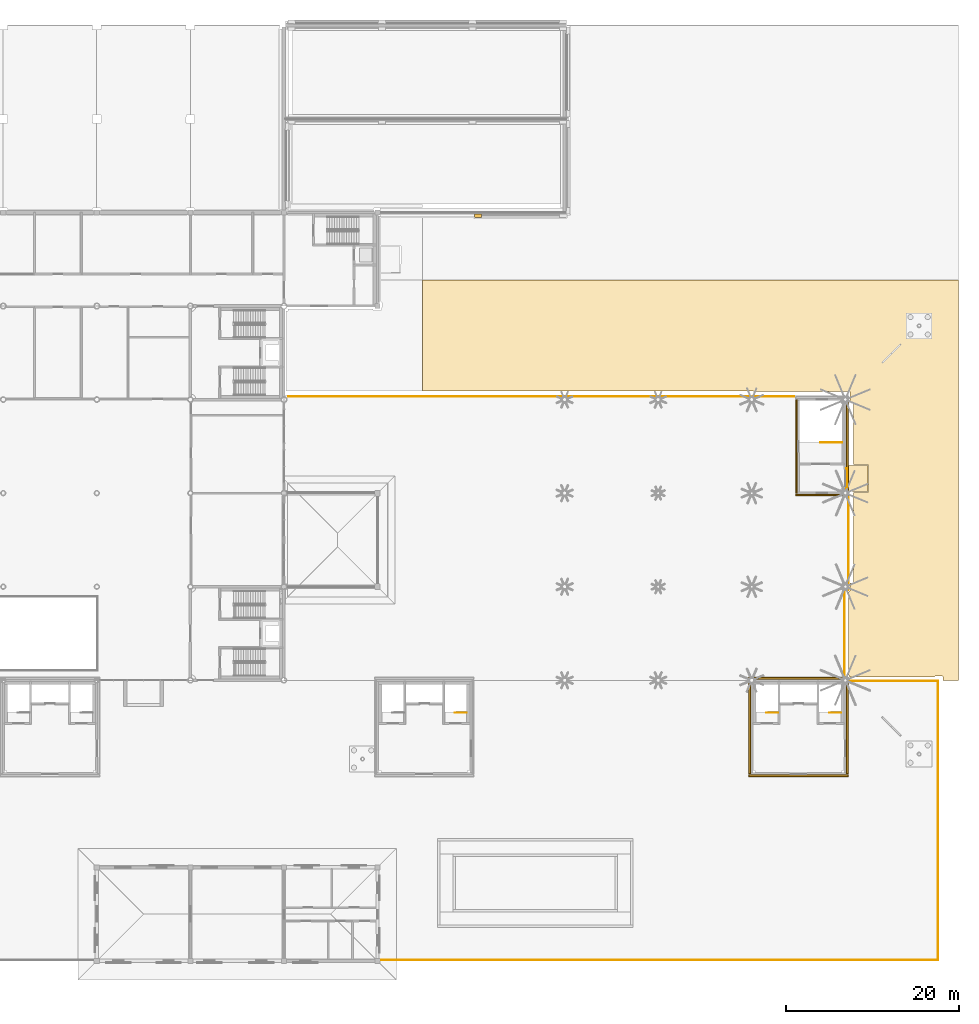
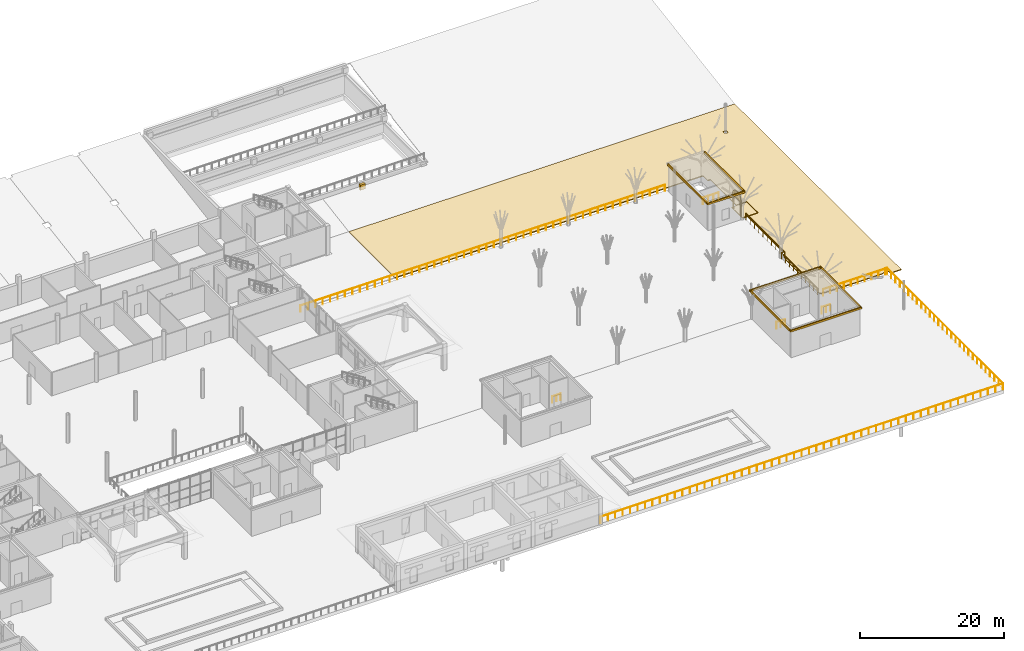
# One storey, part 88 of 91: 11 coverings, 8 railings.
"""IFC4 building model written with IfcOpenShell, lengths in metres."""

import ifcopenshell
import ifcopenshell.guid

model = None  # the IFC model being written
_history = None  # IfcOwnerHistory: only IFC2X3 demands one
_inside = {}  # id of a spatial element -> (the spatial element, [elements in it])
_under = {}  # id of a project, library or spatial element -> (it, [spatial elements below it])
_declared = {}  # id of a project -> (the project, [libraries it declares])
_typed = {}  # id of a type object -> (the type object, [elements of that type])
_made_of = {}  # id of a material, layer set ... -> (it, [elements and type objects made of it])


def new_model(schema):
    """Start an empty IFC model of exactly this schema.

    Asked for "IFC4X3", IfcOpenShell would pick the latest addendum, in which some entities
    have other attributes; the version numbers below select the first issue.
    IFC2X3 requires an IfcOwnerHistory on every rooted entity: one is made here for all.
    """
    global model, _history
    if schema == "IFC4X3":
        model = ifcopenshell.file(schema_version=(4, 3, 0, 0))
    else:
        model = ifcopenshell.file(schema=schema)
    _inside.clear()
    _under.clear()
    _declared.clear()
    _typed.clear()
    _made_of.clear()
    _history = None
    if model.schema == "IFC2X3":
        org = make("IfcOrganization", Name="unknown")
        user = make(
            "IfcPersonAndOrganization",
            ThePerson=make("IfcPerson", FamilyName="unknown"),
            TheOrganization=org,
        )
        app = make(
            "IfcApplication",
            ApplicationDeveloper=org,
            Version="unknown",
            ApplicationFullName="unknown",
            ApplicationIdentifier="unknown",
        )
        _history = make(
            "IfcOwnerHistory",
            OwningUser=user,
            OwningApplication=app,
            ChangeAction="ADDED",
            CreationDate=0,
        )
    return model


def make(cls, **values):
    """One entity of the class cls with the attributes given. An attribute that is None is left unset."""
    return model.create_entity(
        cls, **{name: value for name, value in values.items() if value is not None}
    )


def rooted(cls, **values):
    """An entity with a GlobalId (a new one), such as an element, a storey or a relation."""
    return make(cls, GlobalId=ifcopenshell.guid.new(), OwnerHistory=_history, **values)


def si_unit(unit_type, name, prefix=None):
    """IfcSIUnit, for example si_unit("LENGTHUNIT", "METRE", prefix="MILLI")."""
    return make("IfcSIUnit", UnitType=unit_type, Prefix=prefix, Name=name)


def assignment(units):
    """IfcUnitAssignment: the units of a project."""
    return None if units is None else make("IfcUnitAssignment", Units=units)


def point(xyz):
    """IfcCartesianPoint."""
    return None if xyz is None else make("IfcCartesianPoint", Coordinates=xyz)


def direction(xyz):
    """IfcDirection."""
    return None if xyz is None else make("IfcDirection", DirectionRatios=xyz)


def frame(location, z_axis=None, x_axis=None):
    """IfcAxis2Placement3D, a coordinate frame: its origin and axes. An axis left out is left unset."""
    return make(
        "IfcAxis2Placement3D",
        Location=point(location),
        Axis=direction(z_axis),
        RefDirection=direction(x_axis),
    )


def frame_2d(location, x_axis=None):
    """IfcAxis2Placement2D, a coordinate frame in the plane: its origin and x axis."""
    return make(
        "IfcAxis2Placement2D", Location=point(location), RefDirection=direction(x_axis)
    )


def origin():
    """The frame at (0, 0, 0) with its axes left unset."""
    return frame((0.0, 0.0, 0.0))


def origin_2d():
    """The frame at (0, 0) in the plane with its x axis left unset."""
    return frame_2d((0.0, 0.0))


def place(relative_to, where):
    """IfcLocalPlacement: puts the frame where relative to a parent placement (None: the world)."""
    return make(
        "IfcLocalPlacement", PlacementRelTo=relative_to, RelativePlacement=where
    )


def context(
    kind, dimensions, precision=None, world=None, true_north=None, identifier=None
):
    """IfcGeometricRepresentationContext, for example the 3D "Model" context."""
    return make(
        "IfcGeometricRepresentationContext",
        ContextIdentifier=identifier,
        ContextType=kind,
        CoordinateSpaceDimension=dimensions,
        Precision=precision,
        WorldCoordinateSystem=world,
        TrueNorth=true_north,
    )


def subcontext(parent, identifier, kind, view, scale=None):
    """IfcGeometricRepresentationSubContext, for example "Body" below "Model"."""
    return make(
        "IfcGeometricRepresentationSubContext",
        ContextIdentifier=identifier,
        ContextType=kind,
        ParentContext=parent,
        TargetScale=scale,
        TargetView=view,
    )


def project(units=None, contexts=None):
    """IfcProject with its units and contexts."""
    return rooted(
        "IfcProject",
        Name="project",
        RepresentationContexts=contexts,
        UnitsInContext=assignment(units),
    )


def spatial(cls, under=None, at=None, **own):
    """A site, building, storey or space (cls), placed at a placement, below another one or the project."""
    s = rooted(cls, ObjectPlacement=at, **own)
    if under is not None:
        _under.setdefault(under.id(), (under, []))[1].append(s)
    return s


def polyline(points):
    """IfcPolyline through the points."""
    return make("IfcPolyline", Points=[point(p) for p in points])


def profile(cls, at=None, kind="AREA", **sizes):
    """A parametric profile (cls). Its sizes go by their IFC names, for example OverallWidth=200.0."""
    return make(cls, ProfileType=kind, Position=at, **sizes)


def rectangle(**sizes):
    """IfcRectangleProfileDef."""
    return profile("IfcRectangleProfileDef", **sizes)


def circle(**sizes):
    """IfcCircleProfileDef."""
    return profile("IfcCircleProfileDef", **sizes)


def outline(outer, holes=None, kind="AREA"):
    """IfcArbitraryClosedProfileDef: a profile drawn as a closed curve; with holes, ...WithVoids."""
    if holes is None:
        return make("IfcArbitraryClosedProfileDef", ProfileType=kind, OuterCurve=outer)
    return make(
        "IfcArbitraryProfileDefWithVoids",
        ProfileType=kind,
        OuterCurve=outer,
        InnerCurves=holes,
    )


def extrude(swept, where, along, depth):
    """IfcExtrudedAreaSolid: the profile swept, set in the frame where, extruded along a direction by depth."""
    return make(
        "IfcExtrudedAreaSolid",
        SweptArea=swept,
        Position=where,
        ExtrudedDirection=direction(along),
        Depth=depth,
    )


def shape(context_of_items, identifier, shape_type, items):
    """IfcShapeRepresentation: the items that make up one representation, for example the "Body"."""
    return make(
        "IfcShapeRepresentation",
        ContextOfItems=context_of_items,
        RepresentationIdentifier=identifier,
        RepresentationType=shape_type,
        Items=items,
    )


def material(Name=None, Category=None):
    """IfcMaterial."""
    return make("IfcMaterial", Name=Name, Category=Category)


def layer(
    of_material, thickness, ventilated=None, Name=None, Category=None, Priority=None
):
    """IfcMaterialLayer: one layer of a wall or slab, of a material (None: an air gap)."""
    return make(
        "IfcMaterialLayer",
        Material=of_material,
        LayerThickness=thickness,
        IsVentilated=ventilated,
        Name=Name,
        Category=Category,
        Priority=Priority,
    )


def layer_set(layers, Name=None):
    """IfcMaterialLayerSet."""
    return make("IfcMaterialLayerSet", MaterialLayers=layers, LayerSetName=Name)


def made_of(thing, what):
    """Note that an element or type object is made of a material, layer set ...; save() writes the relation."""
    if what is not None:
        _made_of.setdefault(what.id(), (what, []))[1].append(thing)
    return thing


def type_object(cls, material=None, **own):
    """A type object (cls), such as IfcWallType, which elements share."""
    return made_of(rooted(cls, **own), material)


def element(
    cls,
    number,
    at=None,
    inside=None,
    cuts=None,
    type_object=None,
    material=None,
    context=None,
    identifier="Body",
    shape_type=None,
    held_by="IfcProductDefinitionShape",
    body=None,
    shapes=None,
    **own,
):
    """One element of the class cls, such as IfcWall. Its Tag is "e" and its number.

    at: its placement. inside: the storey or other place that contains it. cuts: it is an
    opening in that element (IfcRelVoidsElement). A single representation is given by context,
    identifier, shape_type and body (its items); several are given by shapes. held_by: the class
    of the entity that holds the representations. save() writes the other relations.
    """
    e = rooted(cls, Tag="e%d" % number, ObjectPlacement=at, **own)
    if body is not None:
        shapes = [shape(context, identifier, shape_type, body)]
    if shapes is not None:
        e.Representation = make(held_by, Representations=shapes)
    if inside is not None:
        _inside.setdefault(inside.id(), (inside, []))[1].append(e)
    if cuts is not None:
        rooted(
            "IfcRelVoidsElement", RelatingBuildingElement=cuts, RelatedOpeningElement=e
        )
    if type_object is not None:
        _typed.setdefault(type_object.id(), (type_object, []))[1].append(e)
    return made_of(e, material)


def aggregate(whole, parts):
    """IfcRelAggregates: a whole, such as a stair, and the parts it consists of."""
    return rooted("IfcRelAggregates", RelatingObject=whole, RelatedObjects=parts)


def save(model, path):
    """Write the relations noted so far, then the file.

    IfcRelAggregates (storeys below a building ...), IfcRelContainedInSpatialStructure (elements
    in a storey), IfcRelDefinesByType, IfcRelAssociatesMaterial and IfcRelDeclares: one each for
    every whole, place, type object, material and project.
    """
    for whole, parts in _under.values():
        aggregate(whole, parts)
    for where, things in _inside.values():
        rooted(
            "IfcRelContainedInSpatialStructure",
            RelatedElements=things,
            RelatingStructure=where,
        )
    for kind, things in _typed.values():
        rooted("IfcRelDefinesByType", RelatedObjects=things, RelatingType=kind)
    for what, things in _made_of.values():
        rooted("IfcRelAssociatesMaterial", RelatedObjects=things, RelatingMaterial=what)
    for by, libraries in _declared.values():
        rooted("IfcRelDeclares", RelatingContext=by, RelatedDefinitions=libraries)
    model.write(path)


model = new_model("IFC4")

# Units and contexts
model_context = context("Model", 3, precision=1e-05, world=origin(), true_north=direction((0.0, 1.0)))
body_context = subcontext(model_context, "Body", "Model", "MODEL_VIEW")
ifc_project = project(units=[si_unit("LENGTHUNIT", "METRE"), si_unit("AREAUNIT", "SQUARE_METRE"), si_unit("VOLUMEUNIT", "CUBIC_METRE"), si_unit("PLANEANGLEUNIT", "RADIAN"), si_unit("MASSUNIT", "GRAM", prefix="KILO")], contexts=[model_context])

# Site, building, storey
site_placement = place(None, origin())
site = spatial("IfcSite", under=ifc_project, at=site_placement, CompositionType="ELEMENT")
building_placement = place(site_placement, origin())
building = spatial("IfcBuilding", under=site, at=building_placement, Name="Magnolia Steps Interchange", CompositionType="ELEMENT")
storey_placement = place(building_placement, origin())
storey = spatial("IfcBuildingStorey", under=building, at=storey_placement, Name="L00", CompositionType="ELEMENT", Elevation=0.0)

# Coverings
ifc_material_1 = material(Name="Lime render")
ifc_layer_1 = layer(ifc_material_1, 0.10009765625)
ifc_layer_set_1 = layer_set([ifc_layer_1], Name="Arched doorway surround")
covering_type_1 = type_object("IfcCoveringType", Name="Arched doorway surround", PredefinedType="CLADDING", material=ifc_layer_set_1)
covering_1_placement = place(storey_placement, frame((182.925048828125, 64.5, 0.0), z_axis=(-1.0, 0.0, 0.0), x_axis=(0.0, 0.0, 1.0)))
element("IfcCovering", 1, at=covering_1_placement, inside=storey, type_object=covering_type_1, Name="Arched doorway surround BE-E", PredefinedType="CLADDING", context=body_context, shape_type="SweptSolid", body=[
    extrude(outline(polyline([(0.0, 0.0), (2.399902344, 0.0), (2.710693359, 0.041015625), (3.0, 0.160888672), (3.248535156, 0.3515625), (3.439208984, 0.600097656), (3.559082031, 0.889404297), (3.600097656, 1.199951172), (3.559082031, 1.510498047), (3.439208984, 1.800048828), (3.248535156, 2.048583984), (3.0, 2.239257812), (2.710693359, 2.359130859), (2.399902344, 2.399902344), (0.0, 2.399902344), (0.0, 2.100097656), (2.399902344, 2.100097656), (2.399902344, 0.300048828), (0.0, 0.300048828), (0.0, 0.0)])), origin(), (0.0, 0.0, -1.0), 0.10009765625),
])
ifc_material_2 = material(Name="Lime render")
ifc_layer_2 = layer(ifc_material_2, 0.199951171875)
ifc_layer_set_2 = layer_set([ifc_layer_2], Name="Lime render cornice")
covering_type_2 = type_object("IfcCoveringType", Name="Lime render cornice", PredefinedType="CLADDING", material=ifc_layer_set_2)
covering_2_placement = place(storey_placement, frame((180.10009765625, 63.77490234375, 4.5), z_axis=(0.0, 0.0, 1.0), x_axis=(1.0, 0.0, 0.0)))
element("IfcCovering", 2, at=covering_2_placement, inside=storey, type_object=covering_type_2, Name="Cornice BE-E S", PredefinedType="CLADDING", context=body_context, shape_type="SweptSolid", body=[
    extrude(rectangle(XDim=6.050048828125, YDim=0.199951171875, at=origin_2d()), origin(), (0.0, 0.0, 1.0), 0.300048828125),
])
for number, where, z_axis, x_axis, name in (
    (3, (177.175048828125, 69.39990234375, 4.5), (0.0, 0.0, 1.0), (1.0, 0.0, 0.0), "Cornice BE-E W"),
    (4, (183.02490234375, 69.39990234375, 4.5), (0.0, 0.0, 1.0), (1.0, 0.0, 0.0), "Cornice BE-E E"),
):
    element("IfcCovering", number, at=place(storey_placement, frame(where, z_axis=z_axis, x_axis=x_axis)), inside=storey, type_object=covering_type_2, Name=name, PredefinedType="CLADDING", context=body_context, shape_type="SweptSolid", body=[
        extrude(rectangle(XDim=0.199951171875, YDim=10.800048828125, at=origin_2d()), origin(), (0.0, 0.0, 1.0), 0.300048828125),
    ])
for number, where, z_axis, x_axis, name in (
    (5, (177.39990234375, 31.375, 4.5), (0.0, 0.0, 1.0), (1.0, 0.0, 0.0), "Cornice BC4 S"),
    (6, (177.39990234375, 42.625, 4.5), (0.0, 0.0, 1.0), (1.0, 0.0, 0.0), "Cornice BC4 N"),
):
    element("IfcCovering", number, at=place(storey_placement, frame(where, z_axis=z_axis, x_axis=x_axis)), inside=storey, type_object=covering_type_2, Name=name, PredefinedType="CLADDING", context=body_context, shape_type="SweptSolid", body=[
        extrude(rectangle(XDim=11.449951171875, YDim=0.199951171875, at=origin_2d()), origin(), (0.0, 0.0, 1.0), 0.300048828125),
    ])
for number, where, z_axis, x_axis, name in (
    (7, (171.77490234375, 37.0, 4.5), (0.0, 0.0, 1.0), (1.0, 0.0, 0.0), "Cornice BC4 W"),
    (8, (183.02490234375, 37.0, 4.5), (0.0, 0.0, 1.0), (1.0, 0.0, 0.0), "Cornice BC4 E"),
):
    element("IfcCovering", number, at=place(storey_placement, frame(where, z_axis=z_axis, x_axis=x_axis)), inside=storey, type_object=covering_type_2, Name=name, PredefinedType="CLADDING", context=body_context, shape_type="SweptSolid", body=[
        extrude(rectangle(XDim=0.199951171875, YDim=10.800048828125, at=origin_2d()), origin(), (0.0, 0.0, 1.0), 0.300048828125),
    ])
ifc_material_3 = material(Name="Lime render")
ifc_layer_3 = layer(ifc_material_3, 0.39990234375)
ifc_layer_set_3 = layer_set([ifc_layer_3], Name="Lime render pilaster")
covering_type_3 = type_object("IfcCoveringType", Name="Lime render pilaster", PredefinedType="CLADDING", material=ifc_layer_set_3)
covering_3_placement = place(storey_placement, frame((140.39990234375, 96.0, 0.5), z_axis=(0.0, 0.0, 1.0), x_axis=(1.0, 0.0, 0.0)))
element("IfcCovering", 9, at=covering_3_placement, inside=storey, type_object=covering_type_3, Name="Pilaster terrace wall E 1 1.1", PredefinedType="CLADDING", context=body_context, shape_type="SweptSolid", body=[
    extrude(rectangle(XDim=0.800048828125, YDim=0.39990234375, at=origin_2d()), origin(), (0.0, 0.0, 1.0), 0.89990234375),
])

# Railings
ifc_material_4 = material(Name="Painted steel Q355B", Category="steel")
railing_type_1 = type_object("IfcRailingType", Name="Plinth balustrade 1100", PredefinedType="GUARDRAIL", material=ifc_material_4)
railing_1_placement = place(storey_placement, frame((129.0, 10.10009765625, 0.0)))
element("IfcRailing", 10, at=railing_1_placement, inside=storey, type_object=railing_type_1, Name="Plinth edge balustrade east", PredefinedType="GUARDRAIL", context=body_context, shape_type="SweptSolid", body=[
    extrude(circle(Radius=0.030029296875, at=origin_2d()), frame((0.0, 0.0, 1.070068359375), z_axis=(1.0, 0.0, 0.0), x_axis=(0.0, 1.0, 0.0)), (0.0, 0.0, 1.0), 64.5),
    extrude(circle(Radius=0.030029296875, at=origin_2d()), frame((64.5, 0.0, 1.070068359375), z_axis=(0.0, 1.0, 0.0), x_axis=(-1.0, 0.0, 0.0)), (0.0, 0.0, 1.0), 32.199951171875),
    extrude(circle(Radius=0.02001953125, at=origin_2d()), origin(), (0.0, 0.0, 1.0), 1.0400390625),
    extrude(circle(Radius=0.02001953125, at=origin_2d()), frame((1.1943359375, 0.0, 0.0)), (0.0, 0.0, 1.0), 1.0400390625),
    extrude(circle(Radius=0.02001953125, at=origin_2d()), frame((2.388916015625, 0.0, 0.0)), (0.0, 0.0, 1.0), 1.0400390625),
    extrude(circle(Radius=0.02001953125, at=origin_2d()), frame((3.583251953125, 0.0, 0.0)), (0.0, 0.0, 1.0), 1.0400390625),
    extrude(circle(Radius=0.02001953125, at=origin_2d()), frame((4.77783203125, 0.0, 0.0)), (0.0, 0.0, 1.0), 1.0400390625),
    extrude(circle(Radius=0.02001953125, at=origin_2d()), frame((5.97216796875, 0.0, 0.0)), (0.0, 0.0, 1.0), 1.0400390625),
    extrude(circle(Radius=0.02001953125, at=origin_2d()), frame((7.166748046875, 0.0, 0.0)), (0.0, 0.0, 1.0), 1.0400390625),
    extrude(circle(Radius=0.02001953125, at=origin_2d()), frame((8.361083984375, 0.0, 0.0)), (0.0, 0.0, 1.0), 1.0400390625),
    extrude(circle(Radius=0.02001953125, at=origin_2d()), frame((9.5556640625, 0.0, 0.0)), (0.0, 0.0, 1.0), 1.0400390625),
    extrude(circle(Radius=0.02001953125, at=origin_2d()), frame((10.75, 0.0, 0.0)), (0.0, 0.0, 1.0), 1.0400390625),
    extrude(circle(Radius=0.02001953125, at=origin_2d()), frame((11.9443359375, 0.0, 0.0)), (0.0, 0.0, 1.0), 1.0400390625),
    extrude(circle(Radius=0.02001953125, at=origin_2d()), frame((13.138916015625, 0.0, 0.0)), (0.0, 0.0, 1.0), 1.0400390625),
    extrude(circle(Radius=0.02001953125, at=origin_2d()), frame((14.333251953125, 0.0, 0.0)), (0.0, 0.0, 1.0), 1.0400390625),
    extrude(circle(Radius=0.02001953125, at=origin_2d()), frame((15.52783203125, 0.0, 0.0)), (0.0, 0.0, 1.0), 1.0400390625),
    extrude(circle(Radius=0.02001953125, at=origin_2d()), frame((16.72216796875, 0.0, 0.0)), (0.0, 0.0, 1.0), 1.0400390625),
    extrude(circle(Radius=0.02001953125, at=origin_2d()), frame((17.916748046875, 0.0, 0.0)), (0.0, 0.0, 1.0), 1.0400390625),
    extrude(circle(Radius=0.02001953125, at=origin_2d()), frame((19.111083984375, 0.0, 0.0)), (0.0, 0.0, 1.0), 1.0400390625),
    extrude(circle(Radius=0.02001953125, at=origin_2d()), frame((20.3056640625, 0.0, 0.0)), (0.0, 0.0, 1.0), 1.0400390625),
    extrude(circle(Radius=0.02001953125, at=origin_2d()), frame((21.5, 0.0, 0.0)), (0.0, 0.0, 1.0), 1.0400390625),
    extrude(circle(Radius=0.02001953125, at=origin_2d()), frame((22.6943359375, 0.0, 0.0)), (0.0, 0.0, 1.0), 1.0400390625),
    extrude(circle(Radius=0.02001953125, at=origin_2d()), frame((23.888916015625, 0.0, 0.0)), (0.0, 0.0, 1.0), 1.0400390625),
    extrude(circle(Radius=0.02001953125, at=origin_2d()), frame((25.083251953125, 0.0, 0.0)), (0.0, 0.0, 1.0), 1.0400390625),
    extrude(circle(Radius=0.02001953125, at=origin_2d()), frame((26.27783203125, 0.0, 0.0)), (0.0, 0.0, 1.0), 1.0400390625),
    extrude(circle(Radius=0.02001953125, at=origin_2d()), frame((27.47216796875, 0.0, 0.0)), (0.0, 0.0, 1.0), 1.0400390625),
    extrude(circle(Radius=0.02001953125, at=origin_2d()), frame((28.666748046875, 0.0, 0.0)), (0.0, 0.0, 1.0), 1.0400390625),
    extrude(circle(Radius=0.02001953125, at=origin_2d()), frame((29.861083984375, 0.0, 0.0)), (0.0, 0.0, 1.0), 1.0400390625),
    extrude(circle(Radius=0.02001953125, at=origin_2d()), frame((31.0556640625, 0.0, 0.0)), (0.0, 0.0, 1.0), 1.0400390625),
    extrude(circle(Radius=0.02001953125, at=origin_2d()), frame((32.25, 0.0, 0.0)), (0.0, 0.0, 1.0), 1.0400390625),
    extrude(circle(Radius=0.02001953125, at=origin_2d()), frame((33.4443359375, 0.0, 0.0)), (0.0, 0.0, 1.0), 1.0400390625),
    extrude(circle(Radius=0.02001953125, at=origin_2d()), frame((34.638916015625, 0.0, 0.0)), (0.0, 0.0, 1.0), 1.0400390625),
    extrude(circle(Radius=0.02001953125, at=origin_2d()), frame((35.833251953125, 0.0, 0.0)), (0.0, 0.0, 1.0), 1.0400390625),
    extrude(circle(Radius=0.02001953125, at=origin_2d()), frame((37.02783203125, 0.0, 0.0)), (0.0, 0.0, 1.0), 1.0400390625),
    extrude(circle(Radius=0.02001953125, at=origin_2d()), frame((38.22216796875, 0.0, 0.0)), (0.0, 0.0, 1.0), 1.0400390625),
    extrude(circle(Radius=0.02001953125, at=origin_2d()), frame((39.416748046875, 0.0, 0.0)), (0.0, 0.0, 1.0), 1.0400390625),
    extrude(circle(Radius=0.02001953125, at=origin_2d()), frame((40.611083984375, 0.0, 0.0)), (0.0, 0.0, 1.0), 1.0400390625),
    extrude(circle(Radius=0.02001953125, at=origin_2d()), frame((41.8056640625, 0.0, 0.0)), (0.0, 0.0, 1.0), 1.0400390625),
    extrude(circle(Radius=0.02001953125, at=origin_2d()), frame((43.0, 0.0, 0.0)), (0.0, 0.0, 1.0), 1.0400390625),
    extrude(circle(Radius=0.02001953125, at=origin_2d()), frame((44.1943359375, 0.0, 0.0)), (0.0, 0.0, 1.0), 1.0400390625),
    extrude(circle(Radius=0.02001953125, at=origin_2d()), frame((45.388916015625, 0.0, 0.0)), (0.0, 0.0, 1.0), 1.0400390625),
    extrude(circle(Radius=0.02001953125, at=origin_2d()), frame((46.583251953125, 0.0, 0.0)), (0.0, 0.0, 1.0), 1.0400390625),
    extrude(circle(Radius=0.02001953125, at=origin_2d()), frame((47.77783203125, 0.0, 0.0)), (0.0, 0.0, 1.0), 1.0400390625),
    extrude(circle(Radius=0.02001953125, at=origin_2d()), frame((48.97216796875, 0.0, 0.0)), (0.0, 0.0, 1.0), 1.0400390625),
    extrude(circle(Radius=0.02001953125, at=origin_2d()), frame((50.166748046875, 0.0, 0.0)), (0.0, 0.0, 1.0), 1.0400390625),
    extrude(circle(Radius=0.02001953125, at=origin_2d()), frame((51.361083984375, 0.0, 0.0)), (0.0, 0.0, 1.0), 1.0400390625),
    extrude(circle(Radius=0.02001953125, at=origin_2d()), frame((52.5556640625, 0.0, 0.0)), (0.0, 0.0, 1.0), 1.0400390625),
    extrude(circle(Radius=0.02001953125, at=origin_2d()), frame((53.75, 0.0, 0.0)), (0.0, 0.0, 1.0), 1.0400390625),
    extrude(circle(Radius=0.02001953125, at=origin_2d()), frame((54.9443359375, 0.0, 0.0)), (0.0, 0.0, 1.0), 1.0400390625),
    extrude(circle(Radius=0.02001953125, at=origin_2d()), frame((56.138916015625, 0.0, 0.0)), (0.0, 0.0, 1.0), 1.0400390625),
    extrude(circle(Radius=0.02001953125, at=origin_2d()), frame((57.333251953125, 0.0, 0.0)), (0.0, 0.0, 1.0), 1.0400390625),
    extrude(circle(Radius=0.02001953125, at=origin_2d()), frame((58.52783203125, 0.0, 0.0)), (0.0, 0.0, 1.0), 1.0400390625),
    extrude(circle(Radius=0.02001953125, at=origin_2d()), frame((59.72216796875, 0.0, 0.0)), (0.0, 0.0, 1.0), 1.0400390625),
    extrude(circle(Radius=0.02001953125, at=origin_2d()), frame((60.916748046875, 0.0, 0.0)), (0.0, 0.0, 1.0), 1.0400390625),
    extrude(circle(Radius=0.02001953125, at=origin_2d()), frame((62.111083984375, 0.0, 0.0)), (0.0, 0.0, 1.0), 1.0400390625),
    extrude(circle(Radius=0.02001953125, at=origin_2d()), frame((63.3056640625, 0.0, 0.0)), (0.0, 0.0, 1.0), 1.0400390625),
    extrude(circle(Radius=0.02001953125, at=origin_2d()), frame((64.5, 0.0, 0.0)), (0.0, 0.0, 1.0), 1.0400390625),
    extrude(circle(Radius=0.02001953125, at=origin_2d()), frame((64.5, 1.192626953125, 0.0)), (0.0, 0.0, 1.0), 1.0400390625),
    extrude(circle(Radius=0.02001953125, at=origin_2d()), frame((64.5, 2.38525390625, 0.0)), (0.0, 0.0, 1.0), 1.0400390625),
    extrude(circle(Radius=0.02001953125, at=origin_2d()), frame((64.5, 3.577880859375, 0.0)), (0.0, 0.0, 1.0), 1.0400390625),
    extrude(circle(Radius=0.02001953125, at=origin_2d()), frame((64.5, 4.770263671875, 0.0)), (0.0, 0.0, 1.0), 1.0400390625),
    extrude(circle(Radius=0.02001953125, at=origin_2d()), frame((64.5, 5.962890625, 0.0)), (0.0, 0.0, 1.0), 1.0400390625),
    extrude(circle(Radius=0.02001953125, at=origin_2d()), frame((64.5, 7.155517578125, 0.0)), (0.0, 0.0, 1.0), 1.0400390625),
    extrude(circle(Radius=0.02001953125, at=origin_2d()), frame((64.5, 8.34814453125, 0.0)), (0.0, 0.0, 1.0), 1.0400390625),
    extrude(circle(Radius=0.02001953125, at=origin_2d()), frame((64.5, 9.540771484375, 0.0)), (0.0, 0.0, 1.0), 1.0400390625),
    extrude(circle(Radius=0.02001953125, at=origin_2d()), frame((64.5, 10.7333984375, 0.0)), (0.0, 0.0, 1.0), 1.0400390625),
    extrude(circle(Radius=0.02001953125, at=origin_2d()), frame((64.5, 11.926025390625, 0.0)), (0.0, 0.0, 1.0), 1.0400390625),
    extrude(circle(Radius=0.02001953125, at=origin_2d()), frame((64.5, 13.118408203125, 0.0)), (0.0, 0.0, 1.0), 1.0400390625),
    extrude(circle(Radius=0.02001953125, at=origin_2d()), frame((64.5, 14.31103515625, 0.0)), (0.0, 0.0, 1.0), 1.0400390625),
    extrude(circle(Radius=0.02001953125, at=origin_2d()), frame((64.5, 15.503662109375, 0.0)), (0.0, 0.0, 1.0), 1.0400390625),
    extrude(circle(Radius=0.02001953125, at=origin_2d()), frame((64.5, 16.6962890625, 0.0)), (0.0, 0.0, 1.0), 1.0400390625),
    extrude(circle(Radius=0.02001953125, at=origin_2d()), frame((64.5, 17.888916015625, 0.0)), (0.0, 0.0, 1.0), 1.0400390625),
    extrude(circle(Radius=0.02001953125, at=origin_2d()), frame((64.5, 19.08154296875, 0.0)), (0.0, 0.0, 1.0), 1.0400390625),
    extrude(circle(Radius=0.02001953125, at=origin_2d()), frame((64.5, 20.27392578125, 0.0)), (0.0, 0.0, 1.0), 1.0400390625),
    extrude(circle(Radius=0.02001953125, at=origin_2d()), frame((64.5, 21.466552734375, 0.0)), (0.0, 0.0, 1.0), 1.0400390625),
    extrude(circle(Radius=0.02001953125, at=origin_2d()), frame((64.5, 22.6591796875, 0.0)), (0.0, 0.0, 1.0), 1.0400390625),
    extrude(circle(Radius=0.02001953125, at=origin_2d()), frame((64.5, 23.851806640625, 0.0)), (0.0, 0.0, 1.0), 1.0400390625),
    extrude(circle(Radius=0.02001953125, at=origin_2d()), frame((64.5, 25.04443359375, 0.0)), (0.0, 0.0, 1.0), 1.0400390625),
    extrude(circle(Radius=0.02001953125, at=origin_2d()), frame((64.5, 26.237060546875, 0.0)), (0.0, 0.0, 1.0), 1.0400390625),
    extrude(circle(Radius=0.02001953125, at=origin_2d()), frame((64.5, 27.4296875, 0.0)), (0.0, 0.0, 1.0), 1.0400390625),
    extrude(circle(Radius=0.02001953125, at=origin_2d()), frame((64.5, 28.6220703125, 0.0)), (0.0, 0.0, 1.0), 1.0400390625),
    extrude(circle(Radius=0.02001953125, at=origin_2d()), frame((64.5, 29.814697265625, 0.0)), (0.0, 0.0, 1.0), 1.0400390625),
    extrude(circle(Radius=0.02001953125, at=origin_2d()), frame((64.5, 31.00732421875, 0.0)), (0.0, 0.0, 1.0), 1.0400390625),
    extrude(circle(Radius=0.02001953125, at=origin_2d()), frame((64.5, 32.199951171875, 0.0)), (0.0, 0.0, 1.0), 1.0400390625),
])
railing_2_placement = place(storey_placement, frame((118.5, 75.14990234375, 0.0)))
element("IfcRailing", 11, at=railing_2_placement, inside=storey, type_object=railing_type_1, Name="Plinth edge balustrade 3", PredefinedType="GUARDRAIL", context=body_context, shape_type="SweptSolid", body=[
    extrude(circle(Radius=0.030029296875, at=origin_2d()), frame((0.0, 0.0, 1.070068359375), z_axis=(1.0, 0.0, 0.0), x_axis=(0.0, 1.0, 0.0)), (0.0, 0.0, 1.0), 58.39990234375),
    extrude(circle(Radius=0.02001953125, at=origin_2d()), origin(), (0.0, 0.0, 1.0), 1.0400390625),
    extrude(circle(Radius=0.02001953125, at=origin_2d()), frame((1.19189453125, 0.0, 0.0)), (0.0, 0.0, 1.0), 1.0400390625),
    extrude(circle(Radius=0.02001953125, at=origin_2d()), frame((2.3837890625, 0.0, 0.0)), (0.0, 0.0, 1.0), 1.0400390625),
    extrude(circle(Radius=0.02001953125, at=origin_2d()), frame((3.575439453125, 0.0, 0.0)), (0.0, 0.0, 1.0), 1.0400390625),
    extrude(circle(Radius=0.02001953125, at=origin_2d()), frame((4.767333984375, 0.0, 0.0)), (0.0, 0.0, 1.0), 1.0400390625),
    extrude(circle(Radius=0.02001953125, at=origin_2d()), frame((5.959228515625, 0.0, 0.0)), (0.0, 0.0, 1.0), 1.0400390625),
    extrude(circle(Radius=0.02001953125, at=origin_2d()), frame((7.151123046875, 0.0, 0.0)), (0.0, 0.0, 1.0), 1.0400390625),
    extrude(circle(Radius=0.02001953125, at=origin_2d()), frame((8.3427734375, 0.0, 0.0)), (0.0, 0.0, 1.0), 1.0400390625),
    extrude(circle(Radius=0.02001953125, at=origin_2d()), frame((9.53466796875, 0.0, 0.0)), (0.0, 0.0, 1.0), 1.0400390625),
    extrude(circle(Radius=0.02001953125, at=origin_2d()), frame((10.7265625, 0.0, 0.0)), (0.0, 0.0, 1.0), 1.0400390625),
    extrude(circle(Radius=0.02001953125, at=origin_2d()), frame((11.91845703125, 0.0, 0.0)), (0.0, 0.0, 1.0), 1.0400390625),
    extrude(circle(Radius=0.02001953125, at=origin_2d()), frame((13.110107421875, 0.0, 0.0)), (0.0, 0.0, 1.0), 1.0400390625),
    extrude(circle(Radius=0.02001953125, at=origin_2d()), frame((14.302001953125, 0.0, 0.0)), (0.0, 0.0, 1.0), 1.0400390625),
    extrude(circle(Radius=0.02001953125, at=origin_2d()), frame((15.493896484375, 0.0, 0.0)), (0.0, 0.0, 1.0), 1.0400390625),
    extrude(circle(Radius=0.02001953125, at=origin_2d()), frame((16.685791015625, 0.0, 0.0)), (0.0, 0.0, 1.0), 1.0400390625),
    extrude(circle(Radius=0.02001953125, at=origin_2d()), frame((17.87744140625, 0.0, 0.0)), (0.0, 0.0, 1.0), 1.0400390625),
    extrude(circle(Radius=0.02001953125, at=origin_2d()), frame((19.0693359375, 0.0, 0.0)), (0.0, 0.0, 1.0), 1.0400390625),
    extrude(circle(Radius=0.02001953125, at=origin_2d()), frame((20.26123046875, 0.0, 0.0)), (0.0, 0.0, 1.0), 1.0400390625),
    extrude(circle(Radius=0.02001953125, at=origin_2d()), frame((21.453125, 0.0, 0.0)), (0.0, 0.0, 1.0), 1.0400390625),
    extrude(circle(Radius=0.02001953125, at=origin_2d()), frame((22.644775390625, 0.0, 0.0)), (0.0, 0.0, 1.0), 1.0400390625),
    extrude(circle(Radius=0.02001953125, at=origin_2d()), frame((23.836669921875, 0.0, 0.0)), (0.0, 0.0, 1.0), 1.0400390625),
    extrude(circle(Radius=0.02001953125, at=origin_2d()), frame((25.028564453125, 0.0, 0.0)), (0.0, 0.0, 1.0), 1.0400390625),
    extrude(circle(Radius=0.02001953125, at=origin_2d()), frame((26.220458984375, 0.0, 0.0)), (0.0, 0.0, 1.0), 1.0400390625),
    extrude(circle(Radius=0.02001953125, at=origin_2d()), frame((27.412109375, 0.0, 0.0)), (0.0, 0.0, 1.0), 1.0400390625),
    extrude(circle(Radius=0.02001953125, at=origin_2d()), frame((28.60400390625, 0.0, 0.0)), (0.0, 0.0, 1.0), 1.0400390625),
    extrude(circle(Radius=0.02001953125, at=origin_2d()), frame((29.7958984375, 0.0, 0.0)), (0.0, 0.0, 1.0), 1.0400390625),
    extrude(circle(Radius=0.02001953125, at=origin_2d()), frame((30.98779296875, 0.0, 0.0)), (0.0, 0.0, 1.0), 1.0400390625),
    extrude(circle(Radius=0.02001953125, at=origin_2d()), frame((32.179443359375, 0.0, 0.0)), (0.0, 0.0, 1.0), 1.0400390625),
    extrude(circle(Radius=0.02001953125, at=origin_2d()), frame((33.371337890625, 0.0, 0.0)), (0.0, 0.0, 1.0), 1.0400390625),
    extrude(circle(Radius=0.02001953125, at=origin_2d()), frame((34.563232421875, 0.0, 0.0)), (0.0, 0.0, 1.0), 1.0400390625),
    extrude(circle(Radius=0.02001953125, at=origin_2d()), frame((35.755126953125, 0.0, 0.0)), (0.0, 0.0, 1.0), 1.0400390625),
    extrude(circle(Radius=0.02001953125, at=origin_2d()), frame((36.94677734375, 0.0, 0.0)), (0.0, 0.0, 1.0), 1.0400390625),
    extrude(circle(Radius=0.02001953125, at=origin_2d()), frame((38.138671875, 0.0, 0.0)), (0.0, 0.0, 1.0), 1.0400390625),
    extrude(circle(Radius=0.02001953125, at=origin_2d()), frame((39.33056640625, 0.0, 0.0)), (0.0, 0.0, 1.0), 1.0400390625),
    extrude(circle(Radius=0.02001953125, at=origin_2d()), frame((40.5224609375, 0.0, 0.0)), (0.0, 0.0, 1.0), 1.0400390625),
    extrude(circle(Radius=0.02001953125, at=origin_2d()), frame((41.714111328125, 0.0, 0.0)), (0.0, 0.0, 1.0), 1.0400390625),
    extrude(circle(Radius=0.02001953125, at=origin_2d()), frame((42.906005859375, 0.0, 0.0)), (0.0, 0.0, 1.0), 1.0400390625),
    extrude(circle(Radius=0.02001953125, at=origin_2d()), frame((44.097900390625, 0.0, 0.0)), (0.0, 0.0, 1.0), 1.0400390625),
    extrude(circle(Radius=0.02001953125, at=origin_2d()), frame((45.289794921875, 0.0, 0.0)), (0.0, 0.0, 1.0), 1.0400390625),
    extrude(circle(Radius=0.02001953125, at=origin_2d()), frame((46.4814453125, 0.0, 0.0)), (0.0, 0.0, 1.0), 1.0400390625),
    extrude(circle(Radius=0.02001953125, at=origin_2d()), frame((47.67333984375, 0.0, 0.0)), (0.0, 0.0, 1.0), 1.0400390625),
    extrude(circle(Radius=0.02001953125, at=origin_2d()), frame((48.865234375, 0.0, 0.0)), (0.0, 0.0, 1.0), 1.0400390625),
    extrude(circle(Radius=0.02001953125, at=origin_2d()), frame((50.05712890625, 0.0, 0.0)), (0.0, 0.0, 1.0), 1.0400390625),
    extrude(circle(Radius=0.02001953125, at=origin_2d()), frame((51.248779296875, 0.0, 0.0)), (0.0, 0.0, 1.0), 1.0400390625),
    extrude(circle(Radius=0.02001953125, at=origin_2d()), frame((52.440673828125, 0.0, 0.0)), (0.0, 0.0, 1.0), 1.0400390625),
    extrude(circle(Radius=0.02001953125, at=origin_2d()), frame((53.632568359375, 0.0, 0.0)), (0.0, 0.0, 1.0), 1.0400390625),
    extrude(circle(Radius=0.02001953125, at=origin_2d()), frame((54.824462890625, 0.0, 0.0)), (0.0, 0.0, 1.0), 1.0400390625),
    extrude(circle(Radius=0.02001953125, at=origin_2d()), frame((56.01611328125, 0.0, 0.0)), (0.0, 0.0, 1.0), 1.0400390625),
    extrude(circle(Radius=0.02001953125, at=origin_2d()), frame((57.2080078125, 0.0, 0.0)), (0.0, 0.0, 1.0), 1.0400390625),
    extrude(circle(Radius=0.02001953125, at=origin_2d()), frame((58.39990234375, 0.0, 0.0)), (0.0, 0.0, 1.0), 1.0400390625),
])
railing_3_placement = place(storey_placement, frame((183.14990234375, 63.5, 0.0)))
element("IfcRailing", 12, at=railing_3_placement, inside=storey, type_object=railing_type_1, Name="Plinth edge balustrade 4", PredefinedType="GUARDRAIL", context=body_context, shape_type="SweptSolid", body=[
    extrude(circle(Radius=0.030029296875, at=origin_2d()), frame((0.0, 0.0, 1.070068359375), z_axis=(0.0, -1.0, 0.0), x_axis=(1.0, 0.0, 0.0)), (0.0, 0.0, 1.0), 10.64990234375),
    extrude(circle(Radius=0.030029296875, at=origin_2d()), frame((0.0, -10.64990234375, 1.070068359375), z_axis=(-1.0, 0.0, 0.0), x_axis=(0.0, -1.0, 0.0)), (0.0, 0.0, 1.0), 0.449951171875),
    extrude(circle(Radius=0.030029296875, at=origin_2d()), frame((-0.449951171875, -10.64990234375, 1.070068359375), z_axis=(0.0, -1.0, 0.0), x_axis=(1.0, 0.0, 0.0)), (0.0, 0.0, 1.0), 9.9501953125),
    extrude(circle(Radius=0.02001953125, at=origin_2d()), origin(), (0.0, 0.0, 1.0), 1.0400390625),
    extrude(circle(Radius=0.02001953125, at=origin_2d()), frame((0.0, -1.183349609375, 0.0)), (0.0, 0.0, 1.0), 1.0400390625),
    extrude(circle(Radius=0.02001953125, at=origin_2d()), frame((0.0, -2.36669921875, 0.0)), (0.0, 0.0, 1.0), 1.0400390625),
    extrude(circle(Radius=0.02001953125, at=origin_2d()), frame((0.0, -3.550048828125, 0.0)), (0.0, 0.0, 1.0), 1.0400390625),
    extrude(circle(Radius=0.02001953125, at=origin_2d()), frame((0.0, -4.7333984375, 0.0)), (0.0, 0.0, 1.0), 1.0400390625),
    extrude(circle(Radius=0.02001953125, at=origin_2d()), frame((0.0, -5.91650390625, 0.0)), (0.0, 0.0, 1.0), 1.0400390625),
    extrude(circle(Radius=0.02001953125, at=origin_2d()), frame((0.0, -7.099853515625, 0.0)), (0.0, 0.0, 1.0), 1.0400390625),
    extrude(circle(Radius=0.02001953125, at=origin_2d()), frame((0.0, -8.283203125, 0.0)), (0.0, 0.0, 1.0), 1.0400390625),
    extrude(circle(Radius=0.02001953125, at=origin_2d()), frame((0.0, -9.466552734375, 0.0)), (0.0, 0.0, 1.0), 1.0400390625),
    extrude(circle(Radius=0.02001953125, at=origin_2d()), frame((0.0, -10.64990234375, 0.0)), (0.0, 0.0, 1.0), 1.0400390625),
    extrude(circle(Radius=0.02001953125, at=origin_2d()), frame((-0.449951171875, -10.64990234375, 0.0)), (0.0, 0.0, 1.0), 1.0400390625),
    extrude(circle(Radius=0.02001953125, at=origin_2d()), frame((-0.449951171875, -11.75537109375, 0.0)), (0.0, 0.0, 1.0), 1.0400390625),
    extrude(circle(Radius=0.02001953125, at=origin_2d()), frame((-0.449951171875, -12.861083984375, 0.0)), (0.0, 0.0, 1.0), 1.0400390625),
    extrude(circle(Radius=0.02001953125, at=origin_2d()), frame((-0.449951171875, -13.966552734375, 0.0)), (0.0, 0.0, 1.0), 1.0400390625),
    extrude(circle(Radius=0.02001953125, at=origin_2d()), frame((-0.449951171875, -15.072265625, 0.0)), (0.0, 0.0, 1.0), 1.0400390625),
    extrude(circle(Radius=0.02001953125, at=origin_2d()), frame((-0.449951171875, -16.177734375, 0.0)), (0.0, 0.0, 1.0), 1.0400390625),
    extrude(circle(Radius=0.02001953125, at=origin_2d()), frame((-0.449951171875, -17.283447265625, 0.0)), (0.0, 0.0, 1.0), 1.0400390625),
    extrude(circle(Radius=0.02001953125, at=origin_2d()), frame((-0.449951171875, -18.388916015625, 0.0)), (0.0, 0.0, 1.0), 1.0400390625),
    extrude(circle(Radius=0.02001953125, at=origin_2d()), frame((-0.449951171875, -19.49462890625, 0.0)), (0.0, 0.0, 1.0), 1.0400390625),
    extrude(circle(Radius=0.02001953125, at=origin_2d()), frame((-0.449951171875, -20.60009765625, 0.0)), (0.0, 0.0, 1.0), 1.0400390625),
])
railing_4_placement = place(storey_placement, frame((183.300048828125, 42.300048828125, 0.0)))
element("IfcRailing", 13, at=railing_4_placement, inside=storey, type_object=railing_type_1, Name="Plinth edge balustrade 5", PredefinedType="GUARDRAIL", context=body_context, shape_type="SweptSolid", body=[
    extrude(circle(Radius=0.030029296875, at=origin_2d()), frame((0.0, 0.0, 1.070068359375), z_axis=(1.0, 0.0, 0.0), x_axis=(0.0, 1.0, 0.0)), (0.0, 0.0, 1.0), 9.949951171875),
    extrude(circle(Radius=0.02001953125, at=origin_2d()), origin(), (0.0, 0.0, 1.0), 1.0400390625),
    extrude(circle(Radius=0.02001953125, at=origin_2d()), frame((1.10546875, 0.0, 0.0)), (0.0, 0.0, 1.0), 1.0400390625),
    extrude(circle(Radius=0.02001953125, at=origin_2d()), frame((2.211181640625, 0.0, 0.0)), (0.0, 0.0, 1.0), 1.0400390625),
    extrude(circle(Radius=0.02001953125, at=origin_2d()), frame((3.316650390625, 0.0, 0.0)), (0.0, 0.0, 1.0), 1.0400390625),
    extrude(circle(Radius=0.02001953125, at=origin_2d()), frame((4.422119140625, 0.0, 0.0)), (0.0, 0.0, 1.0), 1.0400390625),
    extrude(circle(Radius=0.02001953125, at=origin_2d()), frame((5.52783203125, 0.0, 0.0)), (0.0, 0.0, 1.0), 1.0400390625),
    extrude(circle(Radius=0.02001953125, at=origin_2d()), frame((6.63330078125, 0.0, 0.0)), (0.0, 0.0, 1.0), 1.0400390625),
    extrude(circle(Radius=0.02001953125, at=origin_2d()), frame((7.73876953125, 0.0, 0.0)), (0.0, 0.0, 1.0), 1.0400390625),
    extrude(circle(Radius=0.02001953125, at=origin_2d()), frame((8.844482421875, 0.0, 0.0)), (0.0, 0.0, 1.0), 1.0400390625),
    extrude(circle(Radius=0.02001953125, at=origin_2d()), frame((9.949951171875, 0.0, 0.0)), (0.0, 0.0, 1.0), 1.0400390625),
])
ifc_material_5 = material(Name="Stainless steel grade 304", Category="steel")
railing_type_2 = type_object("IfcRailingType", Name="Stair guard 1100", PredefinedType="GUARDRAIL", material=ifc_material_5)
railing_5_placement = place(storey_placement, frame((182.425048828125, 69.824951171875, 0.0)))
element("IfcRailing", 14, at=railing_5_placement, inside=storey, type_object=railing_type_2, Name="L00 ST16 top well guard 1", PredefinedType="GUARDRAIL", context=body_context, shape_type="SweptSolid", body=[
    extrude(circle(Radius=0.02392578125, at=origin_2d()), frame((0.0, 0.0, 1.076171875), z_axis=(-1.0, 0.0, 0.0), x_axis=(0.0, -1.0, 0.0)), (0.0, 0.0, 1.0), 2.5),
    extrude(circle(Radius=0.02099609375, at=origin_2d()), origin(), (0.0, 0.0, 1.0), 1.052001953125),
    extrude(circle(Radius=0.02099609375, at=origin_2d()), frame((-0.833251953125, 0.0, 0.0)), (0.0, 0.0, 1.0), 1.052001953125),
    extrude(circle(Radius=0.02099609375, at=origin_2d()), frame((-1.666748046875, 0.0, 0.0)), (0.0, 0.0, 1.0), 1.052001953125),
    extrude(circle(Radius=0.02099609375, at=origin_2d()), frame((-2.5, 0.0, 0.0)), (0.0, 0.0, 1.0), 1.052001953125),
])
for number, where, name in (
    (15, (139.10009765625, 38.64990234375, 0.0), "L00 ST22 top well guard 1"),
    (16, (175.050048828125, 38.64990234375, 0.0), "L00 ST23 top well guard 1"),
    (17, (182.300048828125, 38.64990234375, 0.0), "L00 ST24 top well guard 1"),
):
    element("IfcRailing", number, at=place(storey_placement, frame(where)), inside=storey, type_object=railing_type_2, Name=name, PredefinedType="GUARDRAIL", context=body_context, shape_type="SweptSolid", body=[
        extrude(circle(Radius=0.02392578125, at=origin_2d()), frame((0.0, 0.0, 1.076171875), z_axis=(-1.0, 0.0, 0.0), x_axis=(0.0, -1.0, 0.0)), (0.0, 0.0, 1.0), 1.35009765625),
        extrude(circle(Radius=0.02099609375, at=origin_2d()), origin(), (0.0, 0.0, 1.0), 1.052001953125),
        extrude(circle(Radius=0.02099609375, at=origin_2d()), frame((-0.675048828125, 0.0, 0.0)), (0.0, 0.0, 1.0), 1.052001953125),
        extrude(circle(Radius=0.02099609375, at=origin_2d()), frame((-1.35009765625, 0.0, 0.0)), (0.0, 0.0, 1.0), 1.052001953125),
    ])

# Coverings
ifc_material_6 = material(Name="Natural stone paving", Category="masonry")
ifc_layer_4 = layer(ifc_material_6, 0.14990234375)
ifc_layer_set_4 = layer_set([ifc_layer_4], Name="Stone paving 150")
covering_type_4 = type_object("IfcCoveringType", Name="Stone paving 150", PredefinedType="FLOORING", material=ifc_layer_set_4)
covering_4_placement = place(storey_placement, frame((184.1875, 65.699951171875, -0.14990234375), z_axis=(0.0, 0.0, 1.0), x_axis=(1.0, 0.0, 0.0)))
element("IfcCovering", 18, at=covering_4_placement, inside=storey, type_object=covering_type_4, Name="Entrance paving", PredefinedType="FLOORING", context=body_context, shape_type="SweptSolid", body=[
    extrude(rectangle(XDim=2.425048828125, YDim=3.0, at=origin_2d()), origin(), (0.0, 0.0, 1.0), 0.14990234375),
])
covering_5_placement = place(storey_placement, frame((0.0, 0.0, -0.14990234375)))
element("IfcCovering", 19, at=covering_5_placement, inside=storey, type_object=covering_type_4, Name="Court paving east", PredefinedType="FLOORING", context=body_context, shape_type="SweptSolid", body=[
    extrude(outline(polyline([(195.85009765625, 42.39990234375), (194.098876953125, 42.39990234375), (194.09814453125, 42.819580078125), (194.009765625, 42.8994140625), (193.199951171875, 42.89990234375), (193.10009765625, 42.800048828125), (183.300048828125, 42.800048828125), (183.27734375, 42.96337890625), (183.14990234375, 43.0), (183.14990234375, 52.60009765625), (183.255615234375, 52.616943359375), (183.34814453125, 52.73046875), (183.35009765625, 53.60009765625), (183.689453125, 53.601806640625), (183.77001953125, 53.699951171875), (183.77001953125, 64.10009765625), (185.409912109375, 64.1005859375), (185.5, 64.199951171875), (185.48828125, 67.2470703125), (185.39990234375, 67.300048828125), (183.77001953125, 67.300048828125), (183.76953125, 74.35986328125), (183.689453125, 74.447998046875), (183.35009765625, 74.449951171875), (183.35009765625, 75.669921875), (183.288330078125, 75.762451171875), (134.0, 75.768310546875), (134.0, 88.60009765625), (195.85009765625, 88.60009765625), (195.85009765625, 42.39990234375)]), holes=[polyline([(191.5869140625, 83.040283203125), (191.600830078125, 83.5869140625), (191.05419921875, 83.600830078125), (191.025146484375, 83.079345703125), (191.10791015625, 83.01806640625), (191.5869140625, 83.040283203125)])]), origin(), (0.0, 0.0, 1.0), 0.14990234375),
])

save(model, "model.ifc")
